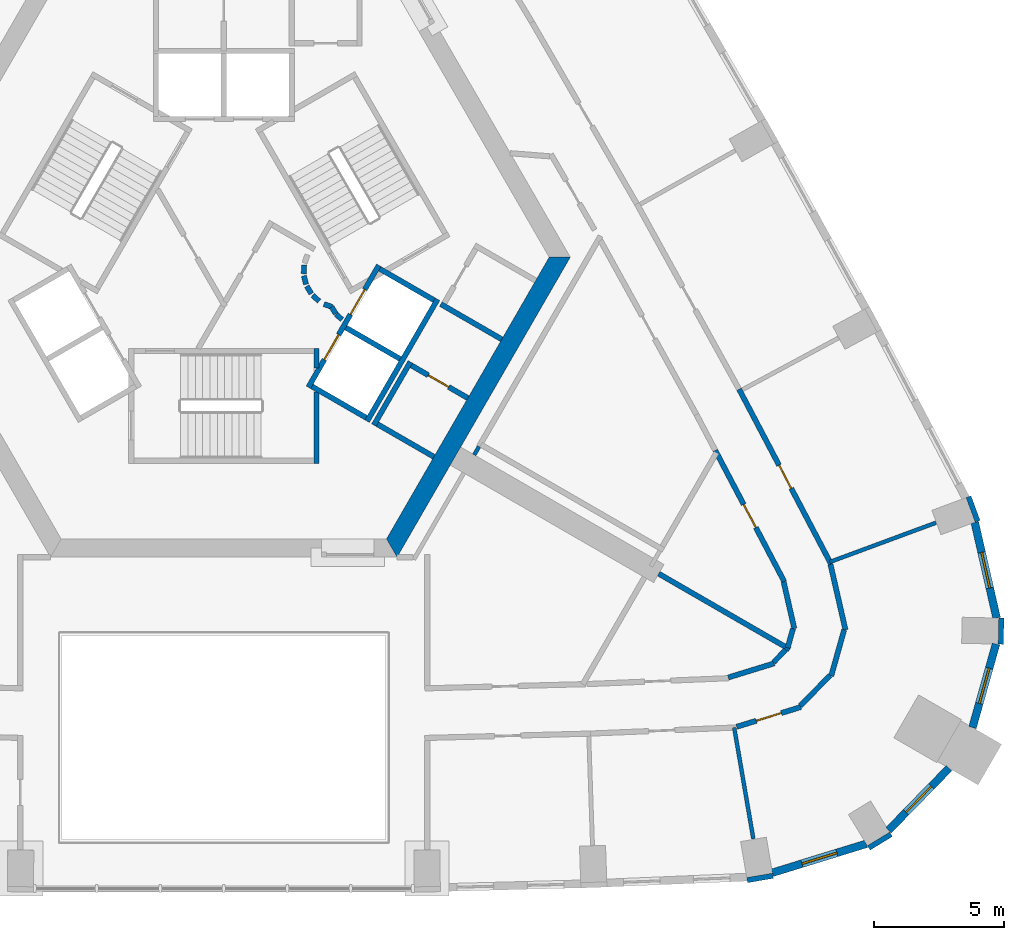
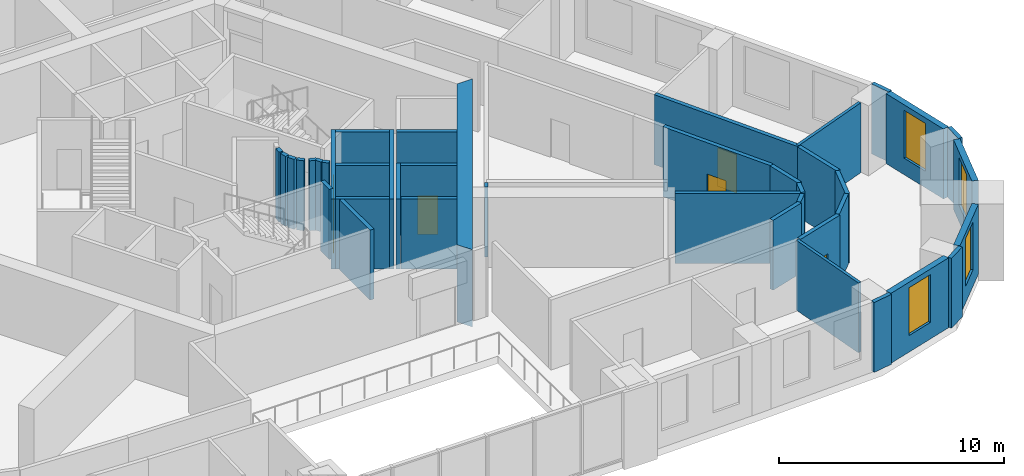
# One storey, part 6 of 11: 41 walls, 6 doors, 4 windows, 10 openings.
"""IFC4 building model written with IfcOpenShell, lengths in metres."""

from ifc_helpers import new_model, si_unit, direction, frame, frame_2d, origin, place, context, subcontext, project, spatial, polyline, rectangle, outline, extrude, material, layer, layer_set, type_object, element, fill, save


model = new_model("IFC4")

# Units and contexts
model_context = context("Model", 3, precision=1e-05, world=origin(), true_north=direction((0.0, 1.0)))
body_context = subcontext(model_context, "Body", "Model", "MODEL_VIEW")
ifc_project = project(units=[si_unit("LENGTHUNIT", "METRE"), si_unit("AREAUNIT", "SQUARE_METRE"), si_unit("VOLUMEUNIT", "CUBIC_METRE"), si_unit("PLANEANGLEUNIT", "RADIAN"), si_unit("MASSUNIT", "GRAM", prefix="KILO")], contexts=[model_context])

# Site, building, storey
site_placement = place(None, origin())
site = spatial("IfcSite", under=ifc_project, at=site_placement, CompositionType="ELEMENT")
building_placement = place(site_placement, origin())
building = spatial("IfcBuilding", under=site, at=building_placement, Name="Entoto Arch Interchange Tower", CompositionType="ELEMENT")
storey_placement = place(building_placement, frame((0.0, 0.0, 194.0)))
storey = spatial("IfcBuildingStorey", under=building, at=storey_placement, Name="L43", CompositionType="ELEMENT", Elevation=194.0)

# Wall
ifc_material_1 = material(Name="Concrete C50/60", Category="concrete")
ifc_layer_1 = layer(ifc_material_1, 0.699951171875)
ifc_layer_set_1 = layer_set([ifc_layer_1], Name="Concrete C50/60")
wall_type_1 = type_object("IfcWallType", Name="Core wall 700 C50/60", PredefinedType="SHEAR", material=ifc_layer_set_1)
wall_1_placement = place(storey_placement, frame((0.0, 0.0, -0.39990234375)))
element("IfcWall", 1, at=wall_1_placement, inside=storey, type_object=wall_type_1, Name="Core wall SE L43", PredefinedType="SHEAR", context=body_context, shape_type="SweptSolid", body=[
    extrude(outline(polyline([(6.639892578125, -9.0), (13.279052734375, 2.5), (12.470947265625, 2.5), (6.235107421875, -8.300048828125), (6.639892578125, -9.0)])), origin(), (0.0, 0.0, 1.0), 4.199951171875),
])

# Wall, openings, doors
ifc_material_2 = material(Name="Concrete C40/50", Category="concrete")
ifc_layer_2 = layer(ifc_material_2, 0.199951171875)
ifc_layer_set_2 = layer_set([ifc_layer_2], Name="Concrete C40/50")
wall_type_2 = type_object("IfcWallType", Name="LIFT SHAFT WALL 200", PredefinedType="STANDARD", material=ifc_layer_set_2)
wall_2_placement = place(storey_placement, frame((3.239990234375, -2.488037109375, 0.0), z_axis=(0.0, 0.0, 1.0), x_axis=(0.500034260056, 0.866005622828, 0.0)))
wall_2 = element("IfcWall", 2, at=wall_2_placement, inside=storey, type_object=wall_type_2, Name="Shaft wall SE1 front", PredefinedType="STANDARD", context=body_context, shape_type="SweptSolid", body=[
    extrude(rectangle(XDim=5.3994140625, YDim=0.199951171875, at=frame_2d((2.69970703125, 0.0))), origin(), (0.0, 0.0, 1.0), 3.800048828125),
])
opening_1_placement = place(wall_2_placement, frame((3.22509765625, 0.0, 0.0)))
opening_1 = element("IfcOpeningElement", 3, at=opening_1_placement, cuts=wall_2, Name="Opening LD-HR3-L43", PredefinedType="OPENING", context=body_context, shape_type="SweptSolid", body=[
    extrude(rectangle(XDim=1.10009765625, YDim=2.10009765625, at=frame_2d((0.550048828125, 1.050048828125))), frame((0.0, 0.10986328125, 0.0), z_axis=(0.0, -1.0, 0.0), x_axis=(1.0, 0.0, 0.0)), (0.0, 0.0, 1.0), 0.219970703125),
])
opening_2_placement = place(wall_2_placement, frame((1.22509765625, 0.0, 0.0)))
opening_2 = element("IfcOpeningElement", 4, at=opening_2_placement, cuts=wall_2, Name="Opening LD-FF1-L43", PredefinedType="OPENING", context=body_context, shape_type="SweptSolid", body=[
    extrude(rectangle(XDim=1.10009765625, YDim=2.10009765625, at=frame_2d((0.550048828125, 1.050048828125))), frame((0.0, 0.10986328125, 0.0), z_axis=(0.0, -1.0, 0.0), x_axis=(1.0, 0.0, 0.0)), (0.0, 0.0, 1.0), 0.219970703125),
])
ifc_material_3 = material(Name="Stainless steel 1.4301 panels", Category="steel")
door_type_1 = type_object("IfcDoorType", Name="LIFT LANDING DOOR LD1 1100x2100", OperationType="SLIDING_TO_LEFT", PredefinedType="DOOR", material=ifc_material_3)
door_1_placement = place(opening_1_placement, origin())
door_1 = element("IfcDoor", 5, at=door_1_placement, inside=storey, type_object=door_type_1, Name="Lift landing door HR3 L43", OperationType="SLIDING_TO_LEFT", OverallHeight=2.10009765625, OverallWidth=1.10009765625, PredefinedType="DOOR", context=body_context, shape_type="SweptSolid", body=[
    extrude(rectangle(XDim=1.10009765625, YDim=2.10009765625, at=frame_2d((0.550048828125, 1.050048828125))), frame((0.0, 0.02490234375, 0.0), z_axis=(0.0, -1.0, 0.0), x_axis=(1.0, 0.0, 0.0)), (0.0, 0.0, 1.0), 0.050048828125),
])
fill(opening_1, door_1)
door_2_placement = place(opening_2_placement, origin())
door_2 = element("IfcDoor", 6, at=door_2_placement, inside=storey, type_object=door_type_1, Name="Lift landing door FF1 L43", OperationType="SLIDING_TO_LEFT", OverallHeight=2.10009765625, OverallWidth=1.10009765625, PredefinedType="DOOR", context=body_context, shape_type="SweptSolid", body=[
    extrude(rectangle(XDim=1.10009765625, YDim=2.10009765625, at=frame_2d((0.550048828125, 1.050048828125))), frame((0.0, 0.02490234375, 0.0), z_axis=(0.0, -1.0, 0.0), x_axis=(1.0, 0.0, 0.0)), (0.0, 0.0, 1.0), 0.050048828125),
])
fill(opening_2, door_2)

# Walls
wall_3_placement = place(storey_placement, frame((5.491943359375, -3.7880859375, 0.0), z_axis=(0.0, 0.0, 1.0), x_axis=(0.500034260056, 0.866005622828, 0.0)))
element("IfcWall", 7, at=wall_3_placement, inside=storey, type_object=wall_type_2, Name="Shaft wall SE1 back", PredefinedType="STANDARD", context=body_context, shape_type="SweptSolid", body=[
    extrude(rectangle(XDim=5.3994140625, YDim=0.199951171875, at=frame_2d((2.69970703125, 0.0))), origin(), (0.0, 0.0, 1.0), 3.800048828125),
])
wall_4_placement = place(storey_placement, frame((3.376953125, -2.451904296875, 0.0), z_axis=(0.0, 0.0, 1.0), x_axis=(0.865955154139, -0.50012165622, 0.0)))
element("IfcWall", 8, at=wall_4_placement, inside=storey, type_object=wall_type_2, Name="Shaft wall SE1 cross 1", PredefinedType="STANDARD", context=body_context, shape_type="SweptSolid", body=[
    extrude(rectangle(XDim=2.39990234375, YDim=0.199951171875, at=frame_2d((1.199951171875, 0.0))), origin(), (0.0, 0.0, 1.0), 3.800048828125),
])
for number, where, z_axis, x_axis, name in (
    (9, (4.677001953125, -0.199951171875, 0.0), (0.0, 0.0, 1.0), (0.865973769406, -0.500089422704, 0.0), "Shaft wall SE1 cross 2"),
    (10, (5.97705078125, 2.052001953125, 0.0), (0.0, 0.0, 1.0), (0.865973769406, -0.500089422704, 0.0), "Shaft wall SE1 cross 3"),
):
    element("IfcWall", number, at=place(storey_placement, frame(where, z_axis=z_axis, x_axis=x_axis)), inside=storey, type_object=wall_type_2, Name=name, PredefinedType="STANDARD", context=body_context, shape_type="SweptSolid", body=[
        extrude(rectangle(XDim=2.3994140625, YDim=0.199951171875, at=frame_2d((1.19970703125, 0.0))), origin(), (0.0, 0.0, 1.0), 3.800048828125),
    ])
ifc_material_4 = material(Name="Gypsum board partition on steel studs", Category="steel")
ifc_layer_3 = layer(ifc_material_4, 0.14990234375)
ifc_layer_set_3 = layer_set([ifc_layer_3], Name="Gypsum board partition on steel studs")
wall_type_3 = type_object("IfcWallType", Name="PARTITION 150", PredefinedType="PARTITIONING", material=ifc_layer_set_3)
wall_5_placement = place(storey_placement, frame((19.56103515625, -15.529052734375, 0.0), z_axis=(0.0, 0.0, 1.0), x_axis=(0.169546150064, -0.98552224886, 0.0)))
element("IfcWall", 11, at=wall_5_placement, inside=storey, type_object=wall_type_3, Name="wall:L43:p109", PredefinedType="PARTITIONING", context=body_context, shape_type="SweptSolid", body=[
    extrude(rectangle(XDim=4.32861328125, YDim=0.14990234375, at=frame_2d((2.164306640625, 0.0))), origin(), (0.0, 0.0, 1.0), 3.800048828125),
])
wall_6_placement = place(storey_placement, frame((23.23095703125, -9.181884765625, 0.0), z_axis=(0.0, 0.0, 1.0), x_axis=(0.937835784628, 0.34707930084, 0.0)))
element("IfcWall", 12, at=wall_6_placement, inside=storey, type_object=wall_type_3, Name="wall:L43:p110", PredefinedType="PARTITIONING", context=body_context, shape_type="SweptSolid", body=[
    extrude(rectangle(XDim=4.330322265625, YDim=0.14990234375, at=frame_2d((2.1650390625, 0.0))), origin(), (0.0, 0.0, 1.0), 3.800048828125),
])
wall_7_placement = place(storey_placement, frame((9.595947265625, -5.077880859375, 0.0), z_axis=(0.0, 0.0, 1.0), x_axis=(0.500827895298, 0.86554689029, 0.0)))
element("IfcWall", 13, at=wall_7_placement, inside=storey, type_object=wall_type_3, Name="wall:L43:p080", PredefinedType="PARTITIONING", context=body_context, shape_type="SweptSolid", body=[
    extrude(rectangle(XDim=0.369384765625, YDim=0.14990234375, at=frame_2d((0.1845703125, 0.0))), origin(), (0.0, 0.0, 1.0), 3.800048828125),
])
ifc_layer_4 = layer(ifc_material_4, 0.199951171875)
ifc_layer_set_4 = layer_set([ifc_layer_4], Name="Gypsum board partition on steel studs")
wall_type_4 = type_object("IfcWallType", Name="PARTITION 200", PredefinedType="PARTITIONING", material=ifc_layer_set_4)
wall_8_placement = place(storey_placement, frame((19.33203125, -13.611083984375, 0.0), z_axis=(0.0, 0.0, 1.0), x_axis=(0.955790442908, 0.294048685161, 0.0)))
element("IfcWall", 14, at=wall_8_placement, inside=storey, type_object=wall_type_4, Name="wall:L43:p021", PredefinedType="PARTITIONING", context=body_context, shape_type="SweptSolid", body=[
    extrude(rectangle(XDim=1.846435546875, YDim=0.199951171875, at=frame_2d((0.92333984375, 0.0))), origin(), (0.0, 0.0, 1.0), 3.800048828125),
])
wall_9_placement = place(storey_placement, frame((21.072021484375, -13.02587890625, 0.0), z_axis=(0.0, 0.0, 1.0), x_axis=(0.697252405765, 0.716825698936, 0.0)))
element("IfcWall", 15, at=wall_9_placement, inside=storey, type_object=wall_type_4, Name="wall:L43:p022", PredefinedType="PARTITIONING", context=body_context, shape_type="SweptSolid", body=[
    extrude(rectangle(XDim=0.6611328125, YDim=0.199951171875, at=frame_2d((0.33056640625, 0.0))), origin(), (0.0, 0.0, 1.0), 3.800048828125),
])
wall_10_placement = place(storey_placement, frame((21.60791015625, -12.47607421875, 0.0), z_axis=(0.0, 0.0, 1.0), x_axis=(0.270277025631, 0.962782597171, 0.0)))
element("IfcWall", 16, at=wall_10_placement, inside=storey, type_object=wall_type_4, Name="wall:L43:p023", PredefinedType="PARTITIONING", context=body_context, shape_type="SweptSolid", body=[
    extrude(rectangle(XDim=0.76953125, YDim=0.199951171875, at=frame_2d((0.384765625, 0.0))), origin(), (0.0, 0.0, 1.0), 3.800048828125),
])
wall_11_placement = place(storey_placement, frame((21.865966796875, -11.737060546875, 0.0), z_axis=(0.0, 0.0, 1.0), x_axis=(-0.222871656966, 0.974847795567, 0.0)))
element("IfcWall", 17, at=wall_11_placement, inside=storey, type_object=wall_type_4, Name="wall:L43:p024", PredefinedType="PARTITIONING", context=body_context, shape_type="SweptSolid", body=[
    extrude(rectangle(XDim=1.839111328125, YDim=0.199951171875, at=frame_2d((0.91943359375, 0.0))), origin(), (0.0, 0.0, 1.0), 3.800048828125),
])

# Wall, opening, door
wall_12_placement = place(storey_placement, frame((21.47998046875, -9.93505859375, 0.0), z_axis=(0.0, 0.0, 1.0), x_axis=(-0.465356775138, 0.885123195851, 0.0)))
wall_12 = element("IfcWall", 18, at=wall_12_placement, inside=storey, type_object=wall_type_4, Name="wall:L43:p025", PredefinedType="PARTITIONING", context=body_context, shape_type="SweptSolid", body=[
    extrude(rectangle(XDim=5.681640625, YDim=0.199951171875, at=frame_2d((2.8408203125, 0.0))), origin(), (0.0, 0.0, 1.0), 3.800048828125),
])
opening_3_placement = place(wall_12_placement, frame((2.341064453125, 0.0, 0.0)))
opening_3 = element("IfcOpeningElement", 19, at=opening_3_placement, cuts=wall_12, Name="Opening L43-D20", PredefinedType="OPENING", context=body_context, shape_type="SweptSolid", body=[
    extrude(rectangle(XDim=1.0, YDim=2.10009765625, at=frame_2d((0.5, 1.050048828125))), frame((0.0, 0.10986328125, 0.0), z_axis=(0.0, -1.0, 0.0), x_axis=(1.0, 0.0, 0.0)), (0.0, 0.0, 1.0), 0.219970703125),
])
ifc_material_5 = material(Name="Timber door leaf in Steel S235 frame", Category="steel")
door_type_2 = type_object("IfcDoorType", Name="DOOR DS-10 1000x2100", OperationType="SINGLE_SWING_LEFT", PredefinedType="DOOR", material=ifc_material_5)
door_3_placement = place(opening_3_placement, origin())
door_3 = element("IfcDoor", 20, at=door_3_placement, inside=storey, type_object=door_type_2, Name="door:L43:20", OperationType="SINGLE_SWING_LEFT", OverallHeight=2.10009765625, OverallWidth=1.0, PredefinedType="DOOR", context=body_context, shape_type="SweptSolid", body=[
    extrude(rectangle(XDim=1.0, YDim=2.10009765625, at=frame_2d((0.5, 1.050048828125))), frame((0.0, 0.02490234375, 0.0), z_axis=(0.0, -1.0, 0.0), x_axis=(1.0, 0.0, 0.0)), (0.0, 0.0, 1.0), 0.050048828125),
])
fill(opening_3, door_3)

# Walls
wall_13_placement = place(storey_placement, frame((23.2529296875, -9.279052734375, 0.0), z_axis=(0.0, 0.0, 1.0), x_axis=(0.222909903746, -0.974839050722, 0.0)))
element("IfcWall", 21, at=wall_13_placement, inside=storey, type_object=wall_type_4, Name="wall:L43:p037", PredefinedType="PARTITIONING", context=body_context, shape_type="SweptSolid", body=[
    extrude(rectangle(XDim=2.570556640625, YDim=0.199951171875, at=frame_2d((1.28515625, 0.0))), origin(), (0.0, 0.0, 1.0), 3.800048828125),
])
wall_14_placement = place(storey_placement, frame((23.77587890625, -11.783935546875, 0.0), z_axis=(0.0, 0.0, 1.0), x_axis=(-0.270522287318, -0.962713712411, 0.0)))
element("IfcWall", 22, at=wall_14_placement, inside=storey, type_object=wall_type_4, Name="wall:L43:p038", PredefinedType="PARTITIONING", context=body_context, shape_type="SweptSolid", body=[
    extrude(rectangle(XDim=1.83642578125, YDim=0.199951171875, at=frame_2d((0.918212890625, 0.0))), origin(), (0.0, 0.0, 1.0), 3.800048828125),
])
wall_15_placement = place(storey_placement, frame((23.236083984375, -13.528076171875, 0.0), z_axis=(0.0, 0.0, 1.0), x_axis=(-0.698551276451, -0.715560000397, 0.0)))
element("IfcWall", 23, at=wall_15_placement, inside=storey, type_object=wall_type_4, Name="wall:L43:p039", PredefinedType="PARTITIONING", context=body_context, shape_type="SweptSolid", body=[
    extrude(rectangle(XDim=1.63623046875, YDim=0.199951171875, at=frame_2d((0.818115234375, 0.0))), origin(), (0.0, 0.0, 1.0), 3.800048828125),
])

# Wall, opening, door
wall_16_placement = place(storey_placement, frame((22.118896484375, -14.740966796875, 0.0), z_axis=(0.0, 0.0, 1.0), x_axis=(-0.955612889251, -0.294625195625, 0.0)))
wall_16 = element("IfcWall", 24, at=wall_16_placement, inside=storey, type_object=wall_type_4, Name="wall:L43:p040", PredefinedType="PARTITIONING", context=body_context, shape_type="SweptSolid", body=[
    extrude(rectangle(XDim=2.576171875, YDim=0.199951171875, at=frame_2d((1.2880859375, 0.0))), origin(), (0.0, 0.0, 1.0), 3.800048828125),
])
opening_4_placement = place(wall_16_placement, frame((0.7880859375, 0.0, 0.0)))
opening_4 = element("IfcOpeningElement", 25, at=opening_4_placement, cuts=wall_16, Name="Opening L43-D03", PredefinedType="OPENING", context=body_context, shape_type="SweptSolid", body=[
    extrude(rectangle(XDim=1.0, YDim=2.10009765625, at=frame_2d((0.5, 1.050048828125))), frame((0.0, 0.10986328125, 0.0), z_axis=(0.0, -1.0, 0.0), x_axis=(1.0, 0.0, 0.0)), (0.0, 0.0, 1.0), 0.219970703125),
])
door_4_placement = place(opening_4_placement, origin())
door_4 = element("IfcDoor", 26, at=door_4_placement, inside=storey, type_object=door_type_2, Name="door:L43:03", OperationType="SINGLE_SWING_LEFT", OverallHeight=2.10009765625, OverallWidth=1.0, PredefinedType="DOOR", context=body_context, shape_type="SweptSolid", body=[
    extrude(rectangle(XDim=1.0, YDim=2.10009765625, at=frame_2d((0.5, 1.050048828125))), frame((0.0, 0.02490234375, 0.0), z_axis=(0.0, -1.0, 0.0), x_axis=(1.0, 0.0, 0.0)), (0.0, 0.0, 1.0), 0.050048828125),
])
fill(opening_4, door_4)

wall_17_placement = place(storey_placement, frame((19.75, -2.56298828125, 0.0), z_axis=(0.0, 0.0, 1.0), x_axis=(0.465444987791, -0.885076812113, 0.0)))
wall_17 = element("IfcWall", 27, at=wall_17_placement, inside=storey, type_object=wall_type_4, Name="wall:L43:p041", PredefinedType="PARTITIONING", context=body_context, shape_type="SweptSolid", body=[
    extrude(rectangle(XDim=7.577880859375, YDim=0.199951171875, at=frame_2d((3.7890625, 0.0))), origin(), (0.0, 0.0, 1.0), 3.800048828125),
])
opening_5_placement = place(wall_17_placement, frame((3.2890625, 0.0, 0.0)))
opening_5 = element("IfcOpeningElement", 28, at=opening_5_placement, cuts=wall_17, Name="Opening L43-D04", PredefinedType="OPENING", context=body_context, shape_type="SweptSolid", body=[
    extrude(rectangle(XDim=1.0, YDim=2.10009765625, at=frame_2d((0.5, 1.050048828125))), frame((0.0, 0.10986328125, 0.0), z_axis=(0.0, -1.0, 0.0), x_axis=(1.0, 0.0, 0.0)), (0.0, 0.0, 1.0), 0.219970703125),
])
door_5_placement = place(opening_5_placement, origin())
door_5 = element("IfcDoor", 29, at=door_5_placement, inside=storey, type_object=door_type_2, Name="door:L43:04", OperationType="SINGLE_SWING_LEFT", OverallHeight=2.10009765625, OverallWidth=1.0, PredefinedType="DOOR", context=body_context, shape_type="SweptSolid", body=[
    extrude(rectangle(XDim=1.0, YDim=2.10009765625, at=frame_2d((0.5, 1.050048828125))), frame((0.0, 0.02490234375, 0.0), z_axis=(0.0, -1.0, 0.0), x_axis=(1.0, 0.0, 0.0)), (0.0, 0.0, 1.0), 0.050048828125),
])
fill(opening_5, door_5)

# Walls
wall_18_placement = place(storey_placement, frame((8.052978515625, -5.152099609375, 0.0), z_axis=(0.0, 0.0, 1.0), x_axis=(-0.866022959057, 0.500004234368, 0.0)))
element("IfcWall", 30, at=wall_18_placement, inside=storey, type_object=wall_type_4, Name="wall:L43:p071", PredefinedType="PARTITIONING", context=body_context, shape_type="SweptSolid", body=[
    extrude(rectangle(XDim=2.5, YDim=0.199951171875, at=frame_2d((1.25, 0.0))), origin(), (0.0, 0.0, 1.0), 3.800048828125),
])
wall_19_placement = place(storey_placement, frame((5.7509765625, -3.93798828125, 0.0), z_axis=(0.0, 0.0, 1.0), x_axis=(0.49994636267, 0.866056369097, 0.0)))
element("IfcWall", 31, at=wall_19_placement, inside=storey, type_object=wall_type_4, Name="wall:L43:p072", PredefinedType="PARTITIONING", context=body_context, shape_type="SweptSolid", body=[
    extrude(rectangle(XDim=2.800048828125, YDim=0.199951171875, at=frame_2d((1.39990234375, 0.0))), origin(), (0.0, 0.0, 1.0), 3.800048828125),
])

# Wall, opening, door
wall_20_placement = place(storey_placement, frame((7.18798828125, -1.64990234375, 0.0), z_axis=(0.0, 0.0, 1.0), x_axis=(0.866022959057, -0.500004234368, 0.0)))
wall_20 = element("IfcWall", 32, at=wall_20_placement, inside=storey, type_object=wall_type_4, Name="wall:L43:p073", PredefinedType="PARTITIONING", context=body_context, shape_type="SweptSolid", body=[
    extrude(rectangle(XDim=2.5, YDim=0.199951171875, at=frame_2d((1.25, 0.0))), origin(), (0.0, 0.0, 1.0), 3.800048828125),
])
opening_6_placement = place(wall_20_placement, frame((0.75, 0.0, 0.0)))
opening_6 = element("IfcOpeningElement", 33, at=opening_6_placement, cuts=wall_20, Name="Opening L43-D32", PredefinedType="OPENING", context=body_context, shape_type="SweptSolid", body=[
    extrude(rectangle(XDim=0.89990234375, YDim=2.10009765625, at=frame_2d((0.449951171875, 1.050048828125))), frame((0.0, 0.10986328125, 0.0), z_axis=(0.0, -1.0, 0.0), x_axis=(1.0, 0.0, 0.0)), (0.0, 0.0, 1.0), 0.219970703125),
])
door_type_3 = type_object("IfcDoorType", Name="DOOR DS-09 900x2100", OperationType="SINGLE_SWING_LEFT", PredefinedType="DOOR", material=ifc_material_5)
door_6_placement = place(opening_6_placement, origin())
door_6 = element("IfcDoor", 34, at=door_6_placement, inside=storey, type_object=door_type_3, Name="door:L43:32", OperationType="SINGLE_SWING_RIGHT", OverallHeight=2.10009765625, OverallWidth=0.89990234375, PredefinedType="DOOR", context=body_context, shape_type="SweptSolid", body=[
    extrude(rectangle(XDim=0.89990234375, YDim=2.10009765625, at=frame_2d((0.449951171875, 1.050048828125))), frame((0.0, 0.02490234375, 0.0), z_axis=(0.0, -1.0, 0.0), x_axis=(1.0, 0.0, 0.0)), (0.0, 0.0, 1.0), 0.050048828125),
])
fill(opening_6, door_6)

# Walls
wall_21_placement = place(storey_placement, frame((10.653076171875, -0.64794921875, 0.0), z_axis=(0.0, 0.0, 1.0), x_axis=(-0.866036505625, 0.499980770555, 0.0)))
element("IfcWall", 35, at=wall_21_placement, inside=storey, type_object=wall_type_4, Name="wall:L43:p074", PredefinedType="PARTITIONING", context=body_context, shape_type="SweptSolid", body=[
    extrude(rectangle(XDim=2.69970703125, YDim=0.199951171875, at=frame_2d((1.349853515625, 0.0))), origin(), (0.0, 0.0, 1.0), 3.800048828125),
])
wall_22_placement = place(storey_placement, frame((3.0791015625, 2.198974609375, 0.0), z_axis=(0.0, 0.0, 1.0), x_axis=(-0.047771483479, -0.998858290933, 0.0)))
element("IfcWall", 36, at=wall_22_placement, inside=storey, type_object=wall_type_4, Name="wall:L43:p086", PredefinedType="PARTITIONING", context=body_context, shape_type="SweptSolid", body=[
    extrude(rectangle(XDim=0.33740234375, YDim=0.199951171875, at=frame_2d((0.168701171875, 0.0))), origin(), (0.0, 0.0, 1.0), 3.800048828125),
])
wall_23_placement = place(storey_placement, frame((3.070068359375, 1.785888671875, 0.0), z_axis=(0.0, 0.0, 1.0), x_axis=(0.242705583207, -0.970099994784, 0.0)))
element("IfcWall", 37, at=wall_23_placement, inside=storey, type_object=wall_type_4, Name="wall:L43:p087", PredefinedType="PARTITIONING", context=body_context, shape_type="SweptSolid", body=[
    extrude(rectangle(XDim=0.337890625, YDim=0.199951171875, at=frame_2d((0.1689453125, 0.0))), origin(), (0.0, 0.0, 1.0), 3.800048828125),
])
for number, where, z_axis, x_axis, name in (
    (38, (3.181884765625, 1.387939453125, 0.0), (0.0, 0.0, 1.0), (0.512474702713, -0.85870232274, 0.0), "wall:L43:p088"),
    (39, (3.404052734375, 1.0390625, 0.0), (0.0, 0.0, 1.0), (0.740267097712, -0.672312891476, 0.0), "wall:L43:p089"),
):
    element("IfcWall", number, at=place(storey_placement, frame(where, z_axis=z_axis, x_axis=x_axis)), inside=storey, type_object=wall_type_4, Name=name, PredefinedType="PARTITIONING", context=body_context, shape_type="SweptSolid", body=[
        extrude(rectangle(XDim=0.337646484375, YDim=0.199951171875, at=frame_2d((0.1689453125, 0.0))), origin(), (0.0, 0.0, 1.0), 3.800048828125),
    ])
wall_24_placement = place(storey_placement, frame((3.837890625, 0.701904296875, 0.0), z_axis=(0.0, 0.0, 1.0), x_axis=(0.941035081519, -0.338308993895, 0.0)))
element("IfcWall", 40, at=wall_24_placement, inside=storey, type_object=wall_type_4, Name="wall:L43:p090", PredefinedType="PARTITIONING", context=body_context, shape_type="SweptSolid", body=[
    extrude(rectangle(XDim=0.3369140625, YDim=0.199951171875, at=frame_2d((0.16845703125, 0.0))), origin(), (0.0, 0.0, 1.0), 3.800048828125),
])
wall_25_placement = place(storey_placement, frame((4.132080078125, 0.593017578125, 0.0), z_axis=(0.0, 0.0, 1.0), x_axis=(0.513561617048, -0.858052717201, 0.0)))
element("IfcWall", 41, at=wall_25_placement, inside=storey, type_object=wall_type_4, Name="wall:L43:p091", PredefinedType="PARTITIONING", context=body_context, shape_type="SweptSolid", body=[
    extrude(rectangle(XDim=0.3076171875, YDim=0.199951171875, at=frame_2d((0.15380859375, 0.0))), origin(), (0.0, 0.0, 1.0), 3.800048828125),
])
wall_26_placement = place(storey_placement, frame((4.301025390625, 0.31494140625, 0.0), z_axis=(0.0, 0.0, 1.0), x_axis=(0.741798017506, -0.670623367639, 0.0)))
element("IfcWall", 42, at=wall_26_placement, inside=storey, type_object=wall_type_4, Name="wall:L43:p092", PredefinedType="PARTITIONING", context=body_context, shape_type="SweptSolid", body=[
    extrude(rectangle(XDim=0.30859375, YDim=0.199951171875, at=frame_2d((0.154296875, 0.0))), origin(), (0.0, 0.0, 1.0), 3.800048828125),
])
wall_27_placement = place(storey_placement, frame((16.6669921875, -9.631103515625, 0.0), z_axis=(0.0, 0.0, 1.0), x_axis=(0.866032775405, -0.499987231761, 0.0)))
element("IfcWall", 43, at=wall_27_placement, inside=storey, type_object=wall_type_4, Name="wall:L43:p107", PredefinedType="PARTITIONING", context=body_context, shape_type="SweptSolid", body=[
    extrude(rectangle(XDim=5.800048828125, YDim=0.199951171875, at=frame_2d((2.89990234375, 0.0))), origin(), (0.0, 0.0, 1.0), 3.800048828125),
])
ifc_layer_5 = layer(ifc_material_2, 0.199951171875)
ifc_layer_set_5 = layer_set([ifc_layer_5], Name="Concrete C40/50")
wall_type_5 = type_object("IfcWallType", Name="STAIR ENCLOSURE WALL 200", PredefinedType="STANDARD", material=ifc_layer_set_5)
wall_28_placement = place(storey_placement, frame((3.550048828125, -2.6669921875, 0.0), z_axis=(0.0, 0.0, 1.0), x_axis=(0.0, -1.0, 0.0)))
element("IfcWall", 44, at=wall_28_placement, inside=storey, type_object=wall_type_5, Name="Stair wall ST-S far", PredefinedType="STANDARD", context=body_context, shape_type="SweptSolid", body=[
    extrude(rectangle(XDim=2.73291015625, YDim=0.199951171875, at=frame_2d((1.366455078125, 0.0))), origin(), (0.0, 0.0, 1.0), 3.800048828125),
])
wall_29_placement = place(storey_placement, frame((3.550048828125, -1.0, 0.0), z_axis=(0.0, 0.0, 1.0), x_axis=(0.0, -1.0, 0.0)))
element("IfcWall", 45, at=wall_29_placement, inside=storey, type_object=wall_type_5, Name="Stair wall ST-S far return", PredefinedType="STANDARD", context=body_context, shape_type="SweptSolid", body=[
    extrude(rectangle(XDim=0.7509765625, YDim=0.199951171875, at=frame_2d((0.37548828125, 0.0))), origin(), (0.0, 0.0, 1.0), 3.800048828125),
])

# Wall, opening, window
ifc_material_6 = material(Name="Welded tuff (ignimbrite) cladding, warm buff", Category="masonry")
ifc_layer_6 = layer(ifc_material_6, 0.300048828125)
ifc_layer_set_6 = layer_set([ifc_layer_6], Name="Welded tuff (ignimbrite) cladding, warm buff")
wall_type_6 = type_object("IfcWallType", Name="STONE INFILL WALL 300", PredefinedType="STANDARD", material=ifc_layer_set_6)
wall_30_placement = place(storey_placement, frame((21.02392578125, -21.094970703125, 0.0), z_axis=(0.0, 0.0, 1.0), x_axis=(0.955692086233, 0.29436819854, 0.0)))
wall_30 = element("IfcWall", 46, at=wall_30_placement, inside=storey, type_object=wall_type_6, Name="Facade wall SE-01 L43", PredefinedType="STANDARD", context=body_context, shape_type="SweptSolid", body=[
    extrude(rectangle(XDim=3.76708984375, YDim=0.300048828125, at=frame_2d((1.883544921875, 0.0))), origin(), (0.0, 0.0, 1.0), 3.800048828125),
])
opening_7_placement = place(wall_30_placement, frame((1.18310546875, 0.0, 0.89990234375)))
opening_7 = element("IfcOpeningElement", 47, at=opening_7_placement, cuts=wall_30, Name="Opening WO-B", PredefinedType="OPENING", context=body_context, shape_type="SweptSolid", body=[
    extrude(rectangle(XDim=1.39990234375, YDim=2.60009765625, at=frame_2d((0.699951171875, 1.300048828125))), frame((0.0, 0.16015625, 0.0), z_axis=(0.0, -1.0, 0.0), x_axis=(1.0, 0.0, 0.0)), (0.0, 0.0, 1.0), 0.320068359375),
])
ifc_material_7 = material(Name="Clear glass, low-e double glazed", Category="glass")
window_type = type_object("IfcWindowType", Name="WINDOW WO-B 1400x2600", PartitioningType="DOUBLE_PANEL_VERTICAL", PredefinedType="WINDOW", material=ifc_material_7)
window_1_placement = place(opening_7_placement, origin())
window_1 = element("IfcWindow", 48, at=window_1_placement, inside=storey, type_object=window_type, Name="Window WO-B SE-01 L43", OverallHeight=2.60009765625, OverallWidth=1.39990234375, PartitioningType="SINGLE_PANEL", PredefinedType="WINDOW", context=body_context, shape_type="SweptSolid", body=[
    extrude(rectangle(XDim=1.39990234375, YDim=2.60009765625, at=frame_2d((0.699951171875, 1.300048828125))), frame((0.0, 0.030029296875, 0.0), z_axis=(0.0, -1.0, 0.0), x_axis=(1.0, 0.0, 0.0)), (0.0, 0.0, 1.0), 0.06005859375),
])
fill(opening_7, window_1)

wall_31_placement = place(storey_placement, frame((25.47607421875, -19.466064453125, 0.0), z_axis=(0.0, 0.0, 1.0), x_axis=(0.698311919602, 0.71579358962, 0.0)))
wall_31 = element("IfcWall", 49, at=wall_31_placement, inside=storey, type_object=wall_type_6, Name="Facade wall SE-02 L43", PredefinedType="STANDARD", context=body_context, shape_type="SweptSolid", body=[
    extrude(rectangle(XDim=3.32373046875, YDim=0.300048828125, at=frame_2d((1.661865234375, 0.0))), origin(), (0.0, 0.0, 1.0), 3.800048828125),
])
opening_8_placement = place(wall_31_placement, frame((0.9619140625, 0.0, 0.89990234375)))
opening_8 = element("IfcOpeningElement", 50, at=opening_8_placement, cuts=wall_31, Name="Opening WO-B", PredefinedType="OPENING", context=body_context, shape_type="SweptSolid", body=[
    extrude(rectangle(XDim=1.39990234375, YDim=2.60009765625, at=frame_2d((0.699951171875, 1.300048828125))), frame((0.0, 0.16015625, 0.0), z_axis=(0.0, -1.0, 0.0), x_axis=(1.0, 0.0, 0.0)), (0.0, 0.0, 1.0), 0.320068359375),
])
window_2_placement = place(opening_8_placement, origin())
window_2 = element("IfcWindow", 51, at=window_2_placement, inside=storey, type_object=window_type, Name="Window WO-B SE-02 L43", OverallHeight=2.60009765625, OverallWidth=1.39990234375, PartitioningType="SINGLE_PANEL", PredefinedType="WINDOW", context=body_context, shape_type="SweptSolid", body=[
    extrude(rectangle(XDim=1.39990234375, YDim=2.60009765625, at=frame_2d((0.699951171875, 1.300048828125))), frame((0.0, 0.030029296875, 0.0), z_axis=(0.0, -1.0, 0.0), x_axis=(1.0, 0.0, 0.0)), (0.0, 0.0, 1.0), 0.06005859375),
])
fill(opening_8, window_2)

wall_32_placement = place(storey_placement, frame((28.696044921875, -15.529052734375, 0.0), z_axis=(0.0, 0.0, 1.0), x_axis=(0.270798765166, 0.962635979374, 0.0)))
wall_32 = element("IfcWall", 52, at=wall_32_placement, inside=storey, type_object=wall_type_6, Name="Facade wall SE-03 L43", PredefinedType="STANDARD", context=body_context, shape_type="SweptSolid", body=[
    extrude(rectangle(XDim=3.3232421875, YDim=0.300048828125, at=frame_2d((1.66162109375, 0.0))), origin(), (0.0, 0.0, 1.0), 3.800048828125),
])
opening_9_placement = place(wall_32_placement, frame((0.9619140625, 0.0, 0.89990234375)))
opening_9 = element("IfcOpeningElement", 53, at=opening_9_placement, cuts=wall_32, Name="Opening WO-B", PredefinedType="OPENING", context=body_context, shape_type="SweptSolid", body=[
    extrude(rectangle(XDim=1.39990234375, YDim=2.60009765625, at=frame_2d((0.699951171875, 1.300048828125))), frame((0.0, 0.16015625, 0.0), z_axis=(0.0, -1.0, 0.0), x_axis=(1.0, 0.0, 0.0)), (0.0, 0.0, 1.0), 0.320068359375),
])
window_3_placement = place(opening_9_placement, origin())
window_3 = element("IfcWindow", 54, at=window_3_placement, inside=storey, type_object=window_type, Name="Window WO-B SE-03 L43", OverallHeight=2.60009765625, OverallWidth=1.39990234375, PartitioningType="SINGLE_PANEL", PredefinedType="WINDOW", context=body_context, shape_type="SweptSolid", body=[
    extrude(rectangle(XDim=1.39990234375, YDim=2.60009765625, at=frame_2d((0.699951171875, 1.300048828125))), frame((0.0, 0.030029296875, 0.0), z_axis=(0.0, -1.0, 0.0), x_axis=(1.0, 0.0, 0.0)), (0.0, 0.0, 1.0), 0.06005859375),
])
fill(opening_9, window_3)

wall_33_placement = place(storey_placement, frame((29.62109375, -11.33203125, 0.0), z_axis=(0.0, 0.0, 1.0), x_axis=(-0.223013094864, 0.974815448954, 0.0)))
wall_33 = element("IfcWall", 55, at=wall_33_placement, inside=storey, type_object=wall_type_6, Name="Facade wall SE-04 L43", PredefinedType="STANDARD", context=body_context, shape_type="SweptSolid", body=[
    extrude(rectangle(XDim=3.76708984375, YDim=0.300048828125, at=frame_2d((1.883544921875, 0.0))), origin(), (0.0, 0.0, 1.0), 3.800048828125),
])
opening_10_placement = place(wall_33_placement, frame((1.18310546875, 0.0, 0.89990234375)))
opening_10 = element("IfcOpeningElement", 56, at=opening_10_placement, cuts=wall_33, Name="Opening WO-B", PredefinedType="OPENING", context=body_context, shape_type="SweptSolid", body=[
    extrude(rectangle(XDim=1.39990234375, YDim=2.60009765625, at=frame_2d((0.699951171875, 1.300048828125))), frame((0.0, 0.16015625, 0.0), z_axis=(0.0, -1.0, 0.0), x_axis=(1.0, 0.0, 0.0)), (0.0, 0.0, 1.0), 0.320068359375),
])
window_4_placement = place(opening_10_placement, origin())
window_4 = element("IfcWindow", 57, at=window_4_placement, inside=storey, type_object=window_type, Name="Window WO-B SE-04 L43", OverallHeight=2.60009765625, OverallWidth=1.39990234375, PartitioningType="SINGLE_PANEL", PredefinedType="WINDOW", context=body_context, shape_type="SweptSolid", body=[
    extrude(rectangle(XDim=1.39990234375, YDim=2.60009765625, at=frame_2d((0.699951171875, 1.300048828125))), frame((0.0, 0.030029296875, 0.0), z_axis=(0.0, -1.0, 0.0), x_axis=(1.0, 0.0, 0.0)), (0.0, 0.0, 1.0), 0.06005859375),
])
fill(opening_10, window_4)

# Walls
ifc_layer_7 = layer(ifc_material_6, 0.199951171875)
ifc_layer_set_7 = layer_set([ifc_layer_7], Name="Welded tuff (ignimbrite) cladding, warm buff")
wall_type_7 = type_object("IfcWallType", Name="STONE PIER CLADDING 200", PredefinedType="STANDARD", material=ifc_layer_set_7)
for number, where, z_axis, x_axis, name in (
    (58, (28.89111328125, -7.62109375, 0.0), (0.0, 0.0, 1.0), (-0.347107644204, 0.937825294677, 0.0), "Stone pier NE01 L43"),
    (59, (20.05908203125, -21.3779296875, 0.0), (0.0, 0.0, 1.0), (0.985631544579, 0.168909615862, 0.0), "Stone pier S06 L43"),
):
    element("IfcWall", number, at=place(storey_placement, frame(where, z_axis=z_axis, x_axis=x_axis)), inside=storey, type_object=wall_type_7, Name=name, PredefinedType="STANDARD", context=body_context, shape_type="SweptSolid", body=[
        extrude(rectangle(XDim=1.000244140625, YDim=0.199951171875, at=frame_2d((0.5, 0.0))), origin(), (0.0, 0.0, 1.0), 3.800048828125),
    ])
wall_34_placement = place(storey_placement, frame((24.718017578125, -20.14208984375, 0.0), z_axis=(0.0, 0.0, 1.0), x_axis=(0.853679739553, 0.520798331677, 0.0)))
element("IfcWall", 60, at=wall_34_placement, inside=storey, type_object=wall_type_7, Name="Stone pier SE1 L43", PredefinedType="STANDARD", context=body_context, shape_type="SweptSolid", body=[
    extrude(rectangle(XDim=1.00048828125, YDim=0.199951171875, at=frame_2d((0.500244140625, 0.0))), origin(), (0.0, 0.0, 1.0), 3.800048828125),
])
wall_35_placement = place(storey_placement, frame((29.778076171875, -12.3349609375, 0.0), z_axis=(0.0, 0.0, 1.0), x_axis=(0.023942303888, 0.999713341956, 0.0)))
element("IfcWall", 61, at=wall_35_placement, inside=storey, type_object=wall_type_7, Name="Stone pier SE3 L43", PredefinedType="STANDARD", context=body_context, shape_type="SweptSolid", body=[
    extrude(rectangle(XDim=0.999267578125, YDim=0.199951171875, at=frame_2d((0.49951171875, 0.0))), origin(), (0.0, 0.0, 1.0), 3.800048828125),
])

save(model, "model.ifc")
